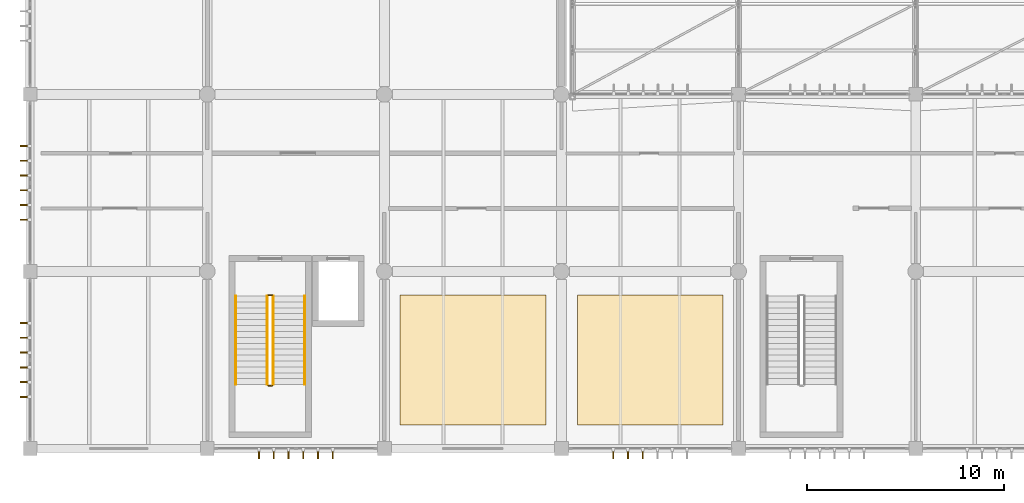
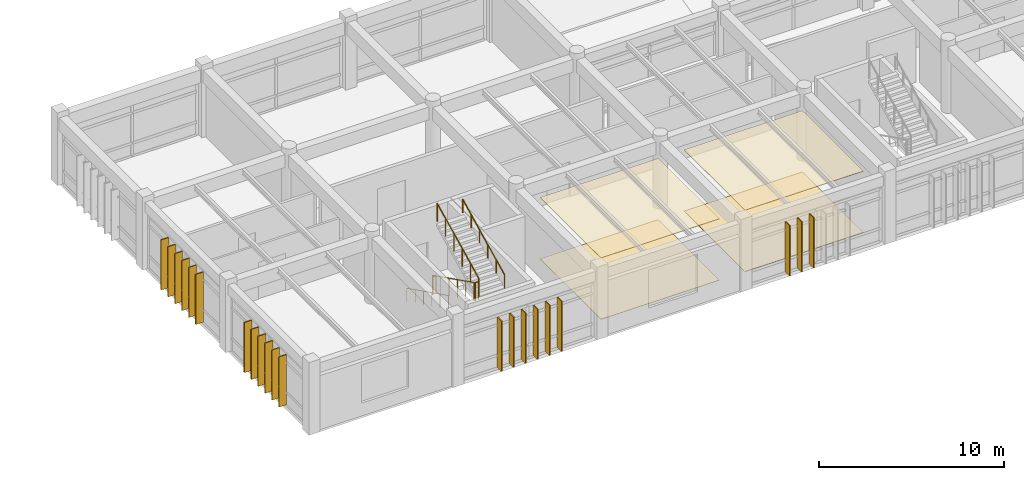
# One storey, part 82 of 90: 21 shading devices, 6 railings, 4 coverings.
"""IFC4 building model written with IfcOpenShell, lengths in metres."""

from ifc_helpers import new_model, si_unit, direction, frame, origin, origin_2d, place, context, subcontext, project, spatial, polyline, rectangle, circle, outline, extrude, material, layer, layer_set, type_object, element, save


model = new_model("IFC4")

# Units and contexts
model_context = context("Model", 3, precision=1e-05, world=origin(), true_north=direction((0.0, 1.0)))
body_context = subcontext(model_context, "Body", "Model", "MODEL_VIEW")
ifc_project = project(units=[si_unit("LENGTHUNIT", "METRE"), si_unit("AREAUNIT", "SQUARE_METRE"), si_unit("VOLUMEUNIT", "CUBIC_METRE"), si_unit("PLANEANGLEUNIT", "RADIAN"), si_unit("MASSUNIT", "GRAM", prefix="KILO")], contexts=[model_context])

# Site, building, storey
site_placement = place(None, origin())
site = spatial("IfcSite", under=ifc_project, at=site_placement, CompositionType="ELEMENT")
building_placement = place(site_placement, origin())
building = spatial("IfcBuilding", under=site, at=building_placement, Name="Bozkorgan Art Gallery", CompositionType="ELEMENT")
storey_placement = place(building_placement, frame((0.0, 0.0, 5.39990234375)))
storey = spatial("IfcBuildingStorey", under=building, at=storey_placement, Name="L01", CompositionType="ELEMENT", Elevation=5.39990234375)

# Coverings
ifc_material_1 = material(Name="Micro-Perforated Acoustic Gypsum Board")
ifc_layer_1 = layer(ifc_material_1, 0.034912109375, Name="Micro-Perforated Acoustic Gypsum Board")
ifc_layer_set_1 = layer_set([ifc_layer_1], Name="Micro-Perforated Acoustic Gypsum Board")
covering_type_1 = type_object("IfcCoveringType", Name="COV-CEIL-01", PredefinedType="CEILING", material=ifc_layer_set_1)
covering_1_placement = place(storey_placement, frame((0.0, 0.0, 4.045166015625)))
element("IfcCovering", 1, at=covering_1_placement, inside=storey, type_object=covering_type_1, Name="V1 L01 acoustic gallery ceiling 3", PredefinedType="CEILING", context=body_context, shape_type="SweptSolid", body=[
    extrude(outline(polyline([(20.800048828125, 3.199951171875), (28.199951171875, 3.199951171875), (28.199951171875, 9.800048828125), (20.800048828125, 9.800048828125), (20.800048828125, 3.199951171875)])), origin(), (0.0, 0.0, 1.0), 0.034912109375),
])
covering_2_placement = place(storey_placement, frame((0.0, 0.0, 4.045166015625)))
element("IfcCovering", 2, at=covering_2_placement, inside=storey, type_object=covering_type_1, Name="V1 L01 acoustic gallery ceiling 4", PredefinedType="CEILING", context=body_context, shape_type="SweptSolid", body=[
    extrude(outline(polyline([(29.800048828125, 3.199951171875), (37.199951171875, 3.199951171875), (37.199951171875, 9.800048828125), (29.800048828125, 9.800048828125), (29.800048828125, 3.199951171875)])), origin(), (0.0, 0.0, 1.0), 0.034912109375),
])
ifc_material_2 = material(Name="Polished Kordai Granite Terrazzo", Category="masonry")
ifc_layer_2 = layer(ifc_material_2, 0.02490234375, Name="Polished Kordai Granite Terrazzo")
ifc_layer_set_2 = layer_set([ifc_layer_2], Name="Polished Kordai Granite Terrazzo")
covering_type_2 = type_object("IfcCoveringType", Name="COV-FLR-01", PredefinedType="FLOORING", material=ifc_layer_set_2)
covering_3_placement = place(storey_placement, origin())
element("IfcCovering", 3, at=covering_3_placement, inside=storey, type_object=covering_type_2, Name="V1 L01 terrazzo gallery flooring 3", PredefinedType="FLOORING", context=body_context, shape_type="SweptSolid", body=[
    extrude(outline(polyline([(20.800048828125, 3.199951171875), (28.199951171875, 3.199951171875), (28.199951171875, 9.800048828125), (20.800048828125, 9.800048828125), (20.800048828125, 3.199951171875)])), origin(), (0.0, 0.0, 1.0), 0.025146484375),
])
covering_4_placement = place(storey_placement, origin())
element("IfcCovering", 4, at=covering_4_placement, inside=storey, type_object=covering_type_2, Name="V1 L01 terrazzo gallery flooring 4", PredefinedType="FLOORING", context=body_context, shape_type="SweptSolid", body=[
    extrude(outline(polyline([(29.800048828125, 3.199951171875), (37.199951171875, 3.199951171875), (37.199951171875, 9.800048828125), (29.800048828125, 9.800048828125), (29.800048828125, 3.199951171875)])), origin(), (0.0, 0.0, 1.0), 0.025146484375),
])

# Railings
ifc_material_3 = material(Name="Steel S355J2", Category="steel")
railing_type_1 = type_object("IfcRailingType", Name="RAIL-GRD-115", PredefinedType="GUARDRAIL", material=ifc_material_3)
railing_1_placement = place(storey_placement, frame((14.050048828125, 9.75, 0.150146484375)))
element("IfcRailing", 5, at=railing_1_placement, inside=storey, type_object=railing_type_1, Name="L01 ST1 stair guard 1", PredefinedType="GUARDRAIL", context=body_context, shape_type="SweptSolid", body=[
    extrude(circle(Radius=0.02392578125, at=origin_2d()), frame((0.0, 0.0, 1.17578125), z_axis=(0.0, -0.894427191, 0.4472135955), x_axis=(1.0, 0.0, 0.0)), (0.0, 0.0, 1.0), 5.03125),
    extrude(circle(Radius=0.02099609375, at=origin_2d()), origin(), (0.0, 0.0, 1.0), 1.15185546875),
    extrude(circle(Radius=0.02099609375, at=origin_2d()), frame((0.0, -0.89990234375, 0.449951171875)), (0.0, 0.0, 1.0), 1.15185546875),
    extrude(circle(Radius=0.02099609375, at=origin_2d()), frame((0.0, -1.800048828125, 0.89990234375)), (0.0, 0.0, 1.0), 1.15185546875),
    extrude(circle(Radius=0.02099609375, at=origin_2d()), frame((0.0, -2.699951171875, 1.35009765625)), (0.0, 0.0, 1.0), 1.15185546875),
    extrude(circle(Radius=0.02099609375, at=origin_2d()), frame((0.0, -3.60009765625, 1.800048828125)), (0.0, 0.0, 1.0), 1.15185546875),
    extrude(circle(Radius=0.02099609375, at=origin_2d()), frame((0.0, -4.5, 2.25)), (0.0, 0.0, 1.0), 1.15185546875),
])
railing_2_placement = place(storey_placement, frame((14.10009765625, 5.199951171875, 2.400146484375)))
element("IfcRailing", 6, at=railing_2_placement, inside=storey, type_object=railing_type_1, Name="L01 ST1 stair guard 2", PredefinedType="GUARDRAIL", context=body_context, shape_type="SweptSolid", body=[
    extrude(circle(Radius=0.02392578125, at=origin_2d()), frame((0.0, 0.0, 1.17578125), z_axis=(1.0, 0.0, 0.0), x_axis=(0.0, 1.0, 0.0)), (0.0, 0.0, 1.0), 0.199951171875),
    extrude(circle(Radius=0.02099609375, at=origin_2d()), origin(), (0.0, 0.0, 1.0), 1.15185546875),
    extrude(circle(Radius=0.02099609375, at=origin_2d()), frame((0.199951171875, 0.0, 0.0)), (0.0, 0.0, 1.0), 1.15185546875),
])
railing_3_placement = place(storey_placement, frame((14.35009765625, 5.25, 2.550048828125)))
element("IfcRailing", 7, at=railing_3_placement, inside=storey, type_object=railing_type_1, Name="L01 ST1 stair guard 3", PredefinedType="GUARDRAIL", context=body_context, shape_type="SweptSolid", body=[
    extrude(circle(Radius=0.02392578125, at=origin_2d()), frame((0.0, 0.0, 1.17578125), z_axis=(0.0, 0.894427191, 0.4472135955), x_axis=(-1.0, 0.0, 0.0)), (0.0, 0.0, 1.0), 5.03125),
    extrude(circle(Radius=0.02099609375, at=origin_2d()), origin(), (0.0, 0.0, 1.0), 1.15185546875),
    extrude(circle(Radius=0.02099609375, at=origin_2d()), frame((0.0, 0.89990234375, 0.449951171875)), (0.0, 0.0, 1.0), 1.15185546875),
    extrude(circle(Radius=0.02099609375, at=origin_2d()), frame((0.0, 1.800048828125, 0.89990234375)), (0.0, 0.0, 1.0), 1.15185546875),
    extrude(circle(Radius=0.02099609375, at=origin_2d()), frame((0.0, 2.699951171875, 1.35009765625)), (0.0, 0.0, 1.0), 1.15185546875),
    extrude(circle(Radius=0.02099609375, at=origin_2d()), frame((0.0, 3.60009765625, 1.800048828125)), (0.0, 0.0, 1.0), 1.15185546875),
    extrude(circle(Radius=0.02099609375, at=origin_2d()), frame((0.0, 4.5, 2.25)), (0.0, 0.0, 1.0), 1.15185546875),
])
railing_4_placement = place(storey_placement, frame((14.10009765625, 9.800048828125, 0.0)))
element("IfcRailing", 8, at=railing_4_placement, inside=storey, type_object=railing_type_1, Name="L01 ST1 stair guard 4", PredefinedType="GUARDRAIL", context=body_context, shape_type="SweptSolid", body=[
    extrude(circle(Radius=0.02392578125, at=origin_2d()), frame((0.0, 0.0, 1.17578125), z_axis=(1.0, 0.0, 0.0), x_axis=(0.0, 1.0, 0.0)), (0.0, 0.0, 1.0), 0.199951171875),
    extrude(circle(Radius=0.02099609375, at=origin_2d()), origin(), (0.0, 0.0, 1.0), 1.15185546875),
    extrude(circle(Radius=0.02099609375, at=origin_2d()), frame((0.199951171875, 0.0, 0.0)), (0.0, 0.0, 1.0), 1.15185546875),
])
railing_type_2 = type_object("IfcRailingType", Name="RAIL-HND-092", PredefinedType="HANDRAIL", material=ifc_material_3)
railing_5_placement = place(storey_placement, frame((12.449951171875, 9.75, 0.150146484375)))
element("IfcRailing", 9, at=railing_5_placement, inside=storey, type_object=railing_type_2, Name="L01 ST1 stair handrail 1", PredefinedType="HANDRAIL", context=body_context, shape_type="SweptSolid", body=[
    extrude(circle(Radius=0.02392578125, at=origin_2d()), frame((0.0, 0.0, 0.8759765625), z_axis=(0.0, -0.894427191, 0.4472135955), x_axis=(1.0, 0.0, 0.0)), (0.0, 0.0, 1.0), 5.03125),
    extrude(circle(Radius=0.02099609375, at=origin_2d()), origin(), (0.0, 0.0, 1.0), 0.851806640625),
    extrude(circle(Radius=0.02099609375, at=origin_2d()), frame((0.0, -0.89990234375, 0.449951171875)), (0.0, 0.0, 1.0), 0.851806640625),
    extrude(circle(Radius=0.02099609375, at=origin_2d()), frame((0.0, -1.800048828125, 0.89990234375)), (0.0, 0.0, 1.0), 0.851806640625),
    extrude(circle(Radius=0.02099609375, at=origin_2d()), frame((0.0, -2.699951171875, 1.35009765625)), (0.0, 0.0, 1.0), 0.851806640625),
    extrude(circle(Radius=0.02099609375, at=origin_2d()), frame((0.0, -3.60009765625, 1.800048828125)), (0.0, 0.0, 1.0), 0.851806640625),
    extrude(circle(Radius=0.02099609375, at=origin_2d()), frame((0.0, -4.5, 2.25)), (0.0, 0.0, 1.0), 0.851806640625),
])
railing_6_placement = place(storey_placement, frame((15.949951171875, 5.25, 2.550048828125)))
element("IfcRailing", 10, at=railing_6_placement, inside=storey, type_object=railing_type_2, Name="L01 ST1 stair handrail 2", PredefinedType="HANDRAIL", context=body_context, shape_type="SweptSolid", body=[
    extrude(circle(Radius=0.02392578125, at=origin_2d()), frame((0.0, 0.0, 0.8759765625), z_axis=(0.0, 0.894427191, 0.4472135955), x_axis=(-1.0, 0.0, 0.0)), (0.0, 0.0, 1.0), 5.03125),
    extrude(circle(Radius=0.02099609375, at=origin_2d()), origin(), (0.0, 0.0, 1.0), 0.851806640625),
    extrude(circle(Radius=0.02099609375, at=origin_2d()), frame((0.0, 0.89990234375, 0.449951171875)), (0.0, 0.0, 1.0), 0.851806640625),
    extrude(circle(Radius=0.02099609375, at=origin_2d()), frame((0.0, 1.800048828125, 0.89990234375)), (0.0, 0.0, 1.0), 0.851806640625),
    extrude(circle(Radius=0.02099609375, at=origin_2d()), frame((0.0, 2.699951171875, 1.35009765625)), (0.0, 0.0, 1.0), 0.851806640625),
    extrude(circle(Radius=0.02099609375, at=origin_2d()), frame((0.0, 3.60009765625, 1.800048828125)), (0.0, 0.0, 1.0), 0.851806640625),
    extrude(circle(Radius=0.02099609375, at=origin_2d()), frame((0.0, 4.5, 2.25)), (0.0, 0.0, 1.0), 0.851806640625),
])

# Shading devices
ifc_material_4 = material(Name="Polychrome Vitrified Ceramic Tile")
shading_device_type = type_object("IfcShadingDeviceType", Name="SHD-FIN-01", PredefinedType="USERDEFINED", material=ifc_material_4)
for number, where, z_axis, x_axis, name in (
    (11, (13.625, 1.719970703125, 0.14013671875), (0.0, 0.0, 1.0), (0.0, -1.0, 0.0), "CW-V1-L01-1S-02 vertical solar fin 1"),
    (12, (14.375, 1.719970703125, 0.14013671875), (0.0, 0.0, 1.0), (0.0, -1.0, 0.0), "CW-V1-L01-1S-02 vertical solar fin 2"),
    (13, (15.125, 1.719970703125, 0.14013671875), (0.0, 0.0, 1.0), (0.0, -1.0, 0.0), "CW-V1-L01-1S-02 vertical solar fin 3"),
    (14, (15.875, 1.719970703125, 0.14013671875), (0.0, 0.0, 1.0), (0.0, -1.0, 0.0), "CW-V1-L01-1S-02 vertical solar fin 4"),
    (15, (16.625, 1.719970703125, 0.14013671875), (0.0, 0.0, 1.0), (0.0, -1.0, 0.0), "CW-V1-L01-1S-02 vertical solar fin 5"),
    (16, (17.375, 1.719970703125, 0.14013671875), (0.0, 0.0, 1.0), (0.0, -1.0, 0.0), "CW-V1-L01-1S-02 vertical solar fin 6"),
    (17, (31.625, 1.719970703125, 0.14013671875), (0.0, 0.0, 1.0), (0.0, -1.0, 0.0), "CW-V1-L01-1S-04 vertical solar fin 1"),
    (18, (32.375, 1.719970703125, 0.14013671875), (0.0, 0.0, 1.0), (0.0, -1.0, 0.0), "CW-V1-L01-1S-04 vertical solar fin 2"),
    (19, (33.125, 1.719970703125, 0.14013671875), (0.0, 0.0, 1.0), (0.0, -1.0, 0.0), "CW-V1-L01-1S-04 vertical solar fin 3"),
    (20, (1.719970703125, 4.625, 0.14013671875), (0.0, 0.0, 1.0), (-1.0, 0.0, 0.0), "CW-V1-L01-1W-12 vertical solar fin 1"),
    (21, (1.719970703125, 5.375, 0.14013671875), (0.0, 0.0, 1.0), (-1.0, 0.0, 0.0), "CW-V1-L01-1W-12 vertical solar fin 2"),
    (22, (1.719970703125, 6.125, 0.14013671875), (0.0, 0.0, 1.0), (-1.0, 0.0, 0.0), "CW-V1-L01-1W-12 vertical solar fin 3"),
    (23, (1.719970703125, 6.875, 0.14013671875), (0.0, 0.0, 1.0), (-1.0, 0.0, 0.0), "CW-V1-L01-1W-12 vertical solar fin 4"),
    (24, (1.719970703125, 7.625, 0.14013671875), (0.0, 0.0, 1.0), (-1.0, 0.0, 0.0), "CW-V1-L01-1W-12 vertical solar fin 5"),
    (25, (1.719970703125, 8.375, 0.14013671875), (0.0, 0.0, 1.0), (-1.0, 0.0, 0.0), "CW-V1-L01-1W-12 vertical solar fin 6"),
    (26, (1.719970703125, 13.625, 0.14013671875), (0.0, 0.0, 1.0), (-1.0, 0.0, 0.0), "CW-V1-L01-1W-14 vertical solar fin 1"),
    (27, (1.719970703125, 14.375, 0.14013671875), (0.0, 0.0, 1.0), (-1.0, 0.0, 0.0), "CW-V1-L01-1W-14 vertical solar fin 2"),
    (28, (1.719970703125, 15.125, 0.14013671875), (0.0, 0.0, 1.0), (-1.0, 0.0, 0.0), "CW-V1-L01-1W-14 vertical solar fin 3"),
    (29, (1.719970703125, 15.875, 0.14013671875), (0.0, 0.0, 1.0), (-1.0, 0.0, 0.0), "CW-V1-L01-1W-14 vertical solar fin 4"),
    (30, (1.719970703125, 16.625, 0.14013671875), (0.0, 0.0, 1.0), (-1.0, 0.0, 0.0), "CW-V1-L01-1W-14 vertical solar fin 5"),
    (31, (1.719970703125, 17.375, 0.14013671875), (0.0, 0.0, 1.0), (-1.0, 0.0, 0.0), "CW-V1-L01-1W-14 vertical solar fin 6"),
):
    element("IfcShadingDevice", number, at=place(storey_placement, frame(where, z_axis=z_axis, x_axis=x_axis)), inside=storey, type_object=shading_device_type, Name=name, ObjectType="FIN", PredefinedType="USERDEFINED", context=body_context, shape_type="SweptSolid", body=[
        extrude(rectangle(XDim=0.47998046875, YDim=0.06494140625, at=origin_2d()), origin(), (0.0, 0.0, 1.0), 3.31494140625),
    ])

save(model, "model.ifc")
